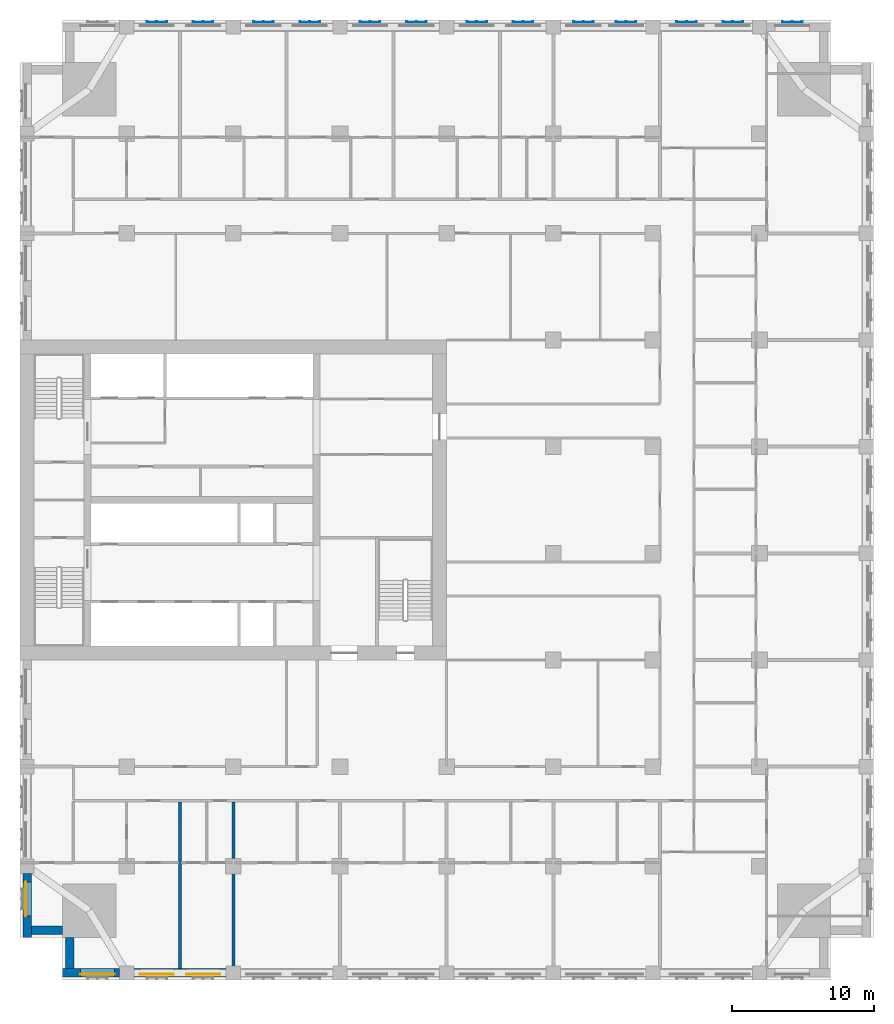
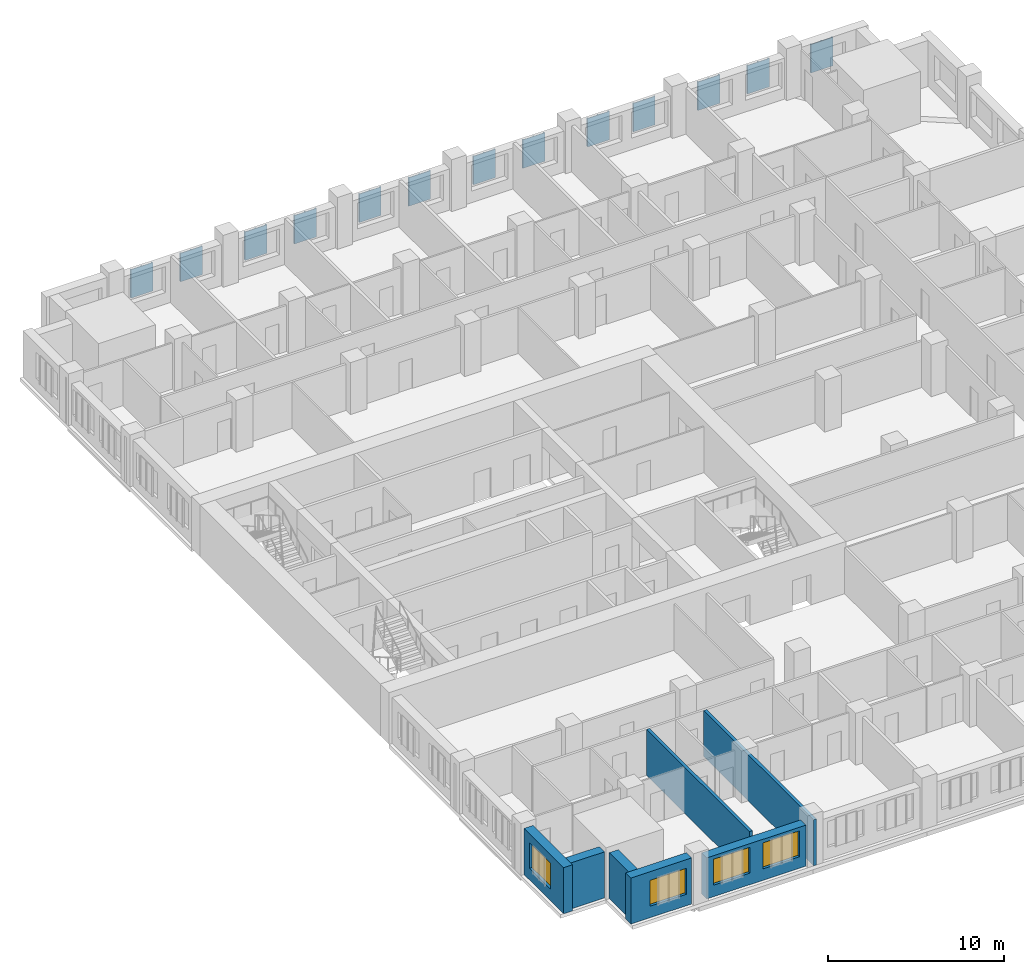
# One storey, part 3 of 14: 13 plates, 7 walls, 4 windows, 4 openings.
"""IFC4 building model written with IfcOpenShell, lengths in metres."""

from ifc_helpers import new_model, si_unit, direction, frame, frame_2d, origin, place, context, subcontext, project, spatial, polyline, rectangle, outline, extrude, material, layer, layer_set, type_object, element, fill, save


model = new_model("IFC4")

# Units and contexts
model_context = context("Model", 3, precision=1e-05, world=origin(), true_north=direction((0.0, 1.0)))
body_context = subcontext(model_context, "Body", "Model", "MODEL_VIEW")
ifc_project = project(units=[si_unit("LENGTHUNIT", "METRE"), si_unit("AREAUNIT", "SQUARE_METRE"), si_unit("VOLUMEUNIT", "CUBIC_METRE"), si_unit("PLANEANGLEUNIT", "RADIAN"), si_unit("MASSUNIT", "GRAM", prefix="KILO")], contexts=[model_context])

# Site, building, storey
site_placement = place(None, origin())
site = spatial("IfcSite", under=ifc_project, at=site_placement, CompositionType="ELEMENT")
building_placement = place(site_placement, origin())
building = spatial("IfcBuilding", under=site, at=building_placement, Name="Tamorin Gate", CompositionType="ELEMENT")
storey_placement = place(building_placement, frame((0.0, 0.0, 115.10009765625)))
storey = spatial("IfcBuildingStorey", under=building, at=storey_placement, Name="L28", CompositionType="ELEMENT", Elevation=115.10009765625)

# Plates
ifc_material_1 = material(Name="Perforated pale aluminium sheet", Category="aluminium")
ifc_layer_1 = layer(ifc_material_1, 0.0400390625)
ifc_layer_set_1 = layer_set([ifc_layer_1], Name="Pale metal solar screen 1440")
plate_type = type_object("IfcPlateType", Name="Pale metal solar screen 1440", PredefinedType="SHEET", material=ifc_layer_set_1)
plate_1_placement = place(storey_placement, frame((0.0, 0.0, 0.7099609375)))
element("IfcPlate", 1, at=plate_1_placement, inside=storey, type_object=plate_type, Name="Perforated solar screen", PredefinedType="SHEET", context=body_context, shape_type="SweptSolid", body=[
    extrude(outline(polyline([(85.02001953125, 104.840087890625), (85.02001953125, 104.800048828125), (84.9599609375, 104.800048828125), (84.330078125, 104.800048828125), (84.27001953125, 104.800048828125), (83.639892578125, 104.800048828125), (83.580078125, 104.800048828125), (83.580078125, 104.840087890625), (83.580078125, 104.89990234375), (83.639892578125, 104.89990234375), (83.639892578125, 104.840087890625), (84.27001953125, 104.840087890625), (84.27001953125, 104.89990234375), (84.330078125, 104.89990234375), (84.330078125, 104.840087890625), (84.9599609375, 104.840087890625), (84.9599609375, 104.89990234375), (85.02001953125, 104.89990234375), (85.02001953125, 104.840087890625)])), origin(), (0.0, 0.0, 1.0), 1.97998046875),
])
plate_2_placement = place(storey_placement, frame((0.0, 0.0, 0.7099609375)))
element("IfcPlate", 2, at=plate_2_placement, inside=storey, type_object=plate_type, Name="Perforated solar screen", PredefinedType="SHEET", context=body_context, shape_type="SweptSolid", body=[
    extrude(outline(polyline([(77.594970703125, 104.840087890625), (77.594970703125, 104.800048828125), (77.534912109375, 104.800048828125), (76.905029296875, 104.800048828125), (76.844970703125, 104.800048828125), (76.215087890625, 104.800048828125), (76.155029296875, 104.800048828125), (76.155029296875, 104.840087890625), (76.155029296875, 104.89990234375), (76.215087890625, 104.89990234375), (76.215087890625, 104.840087890625), (76.844970703125, 104.840087890625), (76.844970703125, 104.89990234375), (76.905029296875, 104.89990234375), (76.905029296875, 104.840087890625), (77.534912109375, 104.840087890625), (77.534912109375, 104.89990234375), (77.594970703125, 104.89990234375), (77.594970703125, 104.840087890625)])), origin(), (0.0, 0.0, 1.0), 1.97998046875),
])
plate_3_placement = place(storey_placement, frame((0.0, 0.0, 0.7099609375)))
element("IfcPlate", 3, at=plate_3_placement, inside=storey, type_object=plate_type, Name="Perforated solar screen", PredefinedType="SHEET", context=body_context, shape_type="SweptSolid", body=[
    extrude(outline(polyline([(80.844970703125, 104.840087890625), (80.844970703125, 104.800048828125), (80.784912109375, 104.800048828125), (80.155029296875, 104.800048828125), (80.094970703125, 104.800048828125), (79.465087890625, 104.800048828125), (79.405029296875, 104.800048828125), (79.405029296875, 104.800048828125), (79.405029296875, 104.840087890625), (79.405029296875, 104.840087890625), (79.405029296875, 104.89990234375), (79.465087890625, 104.89990234375), (79.465087890625, 104.840087890625), (80.094970703125, 104.840087890625), (80.094970703125, 104.89990234375), (80.155029296875, 104.89990234375), (80.155029296875, 104.840087890625), (80.784912109375, 104.840087890625), (80.784912109375, 104.89990234375), (80.844970703125, 104.89990234375), (80.844970703125, 104.840087890625)])), origin(), (0.0, 0.0, 1.0), 1.97998046875),
])
plate_4_placement = place(storey_placement, frame((0.0, 0.0, 0.7099609375)))
element("IfcPlate", 4, at=plate_4_placement, inside=storey, type_object=plate_type, Name="Perforated solar screen", PredefinedType="SHEET", context=body_context, shape_type="SweptSolid", body=[
    extrude(outline(polyline([(70.344970703125, 104.840087890625), (70.344970703125, 104.800048828125), (70.284912109375, 104.800048828125), (69.655029296875, 104.800048828125), (69.594970703125, 104.800048828125), (68.965087890625, 104.800048828125), (68.905029296875, 104.800048828125), (68.905029296875, 104.840087890625), (68.905029296875, 104.89990234375), (68.965087890625, 104.89990234375), (68.965087890625, 104.840087890625), (69.594970703125, 104.840087890625), (69.594970703125, 104.89990234375), (69.655029296875, 104.89990234375), (69.655029296875, 104.840087890625), (70.284912109375, 104.840087890625), (70.284912109375, 104.89990234375), (70.344970703125, 104.89990234375), (70.344970703125, 104.840087890625)])), origin(), (0.0, 0.0, 1.0), 1.97998046875),
])
plate_5_placement = place(storey_placement, frame((0.0, 0.0, 0.7099609375)))
element("IfcPlate", 5, at=plate_5_placement, inside=storey, type_object=plate_type, Name="Perforated solar screen", PredefinedType="SHEET", context=body_context, shape_type="SweptSolid", body=[
    extrude(outline(polyline([(73.344970703125, 104.840087890625), (73.344970703125, 104.800048828125), (73.284912109375, 104.800048828125), (72.655029296875, 104.800048828125), (72.594970703125, 104.800048828125), (71.965087890625, 104.800048828125), (71.905029296875, 104.800048828125), (71.905029296875, 104.840087890625), (71.905029296875, 104.89990234375), (71.965087890625, 104.89990234375), (71.965087890625, 104.840087890625), (72.594970703125, 104.840087890625), (72.594970703125, 104.89990234375), (72.655029296875, 104.89990234375), (72.655029296875, 104.840087890625), (73.284912109375, 104.840087890625), (73.284912109375, 104.89990234375), (73.344970703125, 104.89990234375), (73.344970703125, 104.840087890625)])), origin(), (0.0, 0.0, 1.0), 1.97998046875),
])
plate_6_placement = place(storey_placement, frame((0.0, 0.0, 0.7099609375)))
element("IfcPlate", 6, at=plate_6_placement, inside=storey, type_object=plate_type, Name="Perforated solar screen", PredefinedType="SHEET", context=body_context, shape_type="SweptSolid", body=[
    extrude(outline(polyline([(62.844970703125, 104.840087890625), (62.844970703125, 104.800048828125), (62.784912109375, 104.800048828125), (62.155029296875, 104.800048828125), (62.094970703125, 104.800048828125), (61.465087890625, 104.800048828125), (61.405029296875, 104.800048828125), (61.405029296875, 104.840087890625), (61.405029296875, 104.89990234375), (61.465087890625, 104.89990234375), (61.465087890625, 104.840087890625), (62.094970703125, 104.840087890625), (62.094970703125, 104.89990234375), (62.155029296875, 104.89990234375), (62.155029296875, 104.840087890625), (62.784912109375, 104.840087890625), (62.784912109375, 104.89990234375), (62.844970703125, 104.89990234375), (62.844970703125, 104.840087890625)])), origin(), (0.0, 0.0, 1.0), 1.97998046875),
])
plate_7_placement = place(storey_placement, frame((0.0, 0.0, 0.7099609375)))
element("IfcPlate", 7, at=plate_7_placement, inside=storey, type_object=plate_type, Name="Perforated solar screen", PredefinedType="SHEET", context=body_context, shape_type="SweptSolid", body=[
    extrude(outline(polyline([(66.094970703125, 104.840087890625), (66.094970703125, 104.800048828125), (66.034912109375, 104.800048828125), (65.405029296875, 104.800048828125), (65.344970703125, 104.800048828125), (64.715087890625, 104.800048828125), (64.655029296875, 104.800048828125), (64.655029296875, 104.840087890625), (64.655029296875, 104.89990234375), (64.715087890625, 104.89990234375), (64.715087890625, 104.840087890625), (65.344970703125, 104.840087890625), (65.344970703125, 104.89990234375), (65.405029296875, 104.89990234375), (65.405029296875, 104.840087890625), (66.034912109375, 104.840087890625), (66.034912109375, 104.89990234375), (66.094970703125, 104.89990234375), (66.094970703125, 104.840087890625)])), origin(), (0.0, 0.0, 1.0), 1.97998046875),
])
plate_8_placement = place(storey_placement, frame((0.0, 0.0, 0.7099609375)))
element("IfcPlate", 8, at=plate_8_placement, inside=storey, type_object=plate_type, Name="Perforated solar screen", PredefinedType="SHEET", context=body_context, shape_type="SweptSolid", body=[
    extrude(outline(polyline([(55.344970703125, 104.840087890625), (55.344970703125, 104.800048828125), (55.284912109375, 104.800048828125), (54.655029296875, 104.800048828125), (54.594970703125, 104.800048828125), (53.965087890625, 104.800048828125), (53.905029296875, 104.800048828125), (53.905029296875, 104.840087890625), (53.905029296875, 104.89990234375), (53.965087890625, 104.89990234375), (53.965087890625, 104.840087890625), (54.594970703125, 104.840087890625), (54.594970703125, 104.89990234375), (54.655029296875, 104.89990234375), (54.655029296875, 104.840087890625), (55.284912109375, 104.840087890625), (55.284912109375, 104.89990234375), (55.344970703125, 104.89990234375), (55.344970703125, 104.840087890625)])), origin(), (0.0, 0.0, 1.0), 1.97998046875),
])
plate_9_placement = place(storey_placement, frame((0.0, 0.0, 0.7099609375)))
element("IfcPlate", 9, at=plate_9_placement, inside=storey, type_object=plate_type, Name="Perforated solar screen", PredefinedType="SHEET", context=body_context, shape_type="SweptSolid", body=[
    extrude(outline(polyline([(58.594970703125, 104.840087890625), (58.594970703125, 104.800048828125), (58.534912109375, 104.800048828125), (57.905029296875, 104.800048828125), (57.844970703125, 104.800048828125), (57.215087890625, 104.800048828125), (57.155029296875, 104.800048828125), (57.155029296875, 104.840087890625), (57.155029296875, 104.89990234375), (57.215087890625, 104.89990234375), (57.215087890625, 104.840087890625), (57.844970703125, 104.840087890625), (57.844970703125, 104.89990234375), (57.905029296875, 104.89990234375), (57.905029296875, 104.840087890625), (58.534912109375, 104.840087890625), (58.534912109375, 104.89990234375), (58.594970703125, 104.89990234375), (58.594970703125, 104.840087890625)])), origin(), (0.0, 0.0, 1.0), 1.97998046875),
])
plate_10_placement = place(storey_placement, frame((0.0, 0.0, 0.7099609375)))
element("IfcPlate", 10, at=plate_10_placement, inside=storey, type_object=plate_type, Name="Perforated solar screen", PredefinedType="SHEET", context=body_context, shape_type="SweptSolid", body=[
    extrude(outline(polyline([(47.844970703125, 104.840087890625), (47.844970703125, 104.800048828125), (47.784912109375, 104.800048828125), (47.155029296875, 104.800048828125), (47.094970703125, 104.800048828125), (46.465087890625, 104.800048828125), (46.405029296875, 104.800048828125), (46.405029296875, 104.840087890625), (46.405029296875, 104.89990234375), (46.465087890625, 104.89990234375), (46.465087890625, 104.840087890625), (47.094970703125, 104.840087890625), (47.094970703125, 104.89990234375), (47.155029296875, 104.89990234375), (47.155029296875, 104.840087890625), (47.784912109375, 104.840087890625), (47.784912109375, 104.89990234375), (47.844970703125, 104.89990234375), (47.844970703125, 104.840087890625)])), origin(), (0.0, 0.0, 1.0), 1.97998046875),
])
plate_11_placement = place(storey_placement, frame((0.0, 0.0, 0.7099609375)))
element("IfcPlate", 11, at=plate_11_placement, inside=storey, type_object=plate_type, Name="Perforated solar screen", PredefinedType="SHEET", context=body_context, shape_type="SweptSolid", body=[
    extrude(outline(polyline([(51.094970703125, 104.840087890625), (51.094970703125, 104.800048828125), (51.034912109375, 104.800048828125), (50.405029296875, 104.800048828125), (50.344970703125, 104.800048828125), (49.715087890625, 104.800048828125), (49.655029296875, 104.800048828125), (49.655029296875, 104.840087890625), (49.655029296875, 104.89990234375), (49.715087890625, 104.89990234375), (49.715087890625, 104.840087890625), (50.344970703125, 104.840087890625), (50.344970703125, 104.89990234375), (50.405029296875, 104.89990234375), (50.405029296875, 104.840087890625), (51.034912109375, 104.840087890625), (51.034912109375, 104.89990234375), (51.094970703125, 104.89990234375), (51.094970703125, 104.840087890625)])), origin(), (0.0, 0.0, 1.0), 1.97998046875),
])
plate_12_placement = place(storey_placement, frame((0.0, 0.0, 0.7099609375)))
element("IfcPlate", 12, at=plate_12_placement, inside=storey, type_object=plate_type, Name="Perforated solar screen", PredefinedType="SHEET", context=body_context, shape_type="SweptSolid", body=[
    extrude(outline(polyline([(40.344970703125, 104.840087890625), (40.344970703125, 104.800048828125), (40.284912109375, 104.800048828125), (39.655029296875, 104.800048828125), (39.594970703125, 104.800048828125), (38.965087890625, 104.800048828125), (38.905029296875, 104.800048828125), (38.905029296875, 104.840087890625), (38.905029296875, 104.89990234375), (38.965087890625, 104.89990234375), (38.965087890625, 104.840087890625), (39.594970703125, 104.840087890625), (39.594970703125, 104.89990234375), (39.655029296875, 104.89990234375), (39.655029296875, 104.840087890625), (40.284912109375, 104.840087890625), (40.284912109375, 104.89990234375), (40.344970703125, 104.89990234375), (40.344970703125, 104.840087890625)])), origin(), (0.0, 0.0, 1.0), 1.97998046875),
])
plate_13_placement = place(storey_placement, frame((0.0, 0.0, 0.7099609375)))
element("IfcPlate", 13, at=plate_13_placement, inside=storey, type_object=plate_type, Name="Perforated solar screen", PredefinedType="SHEET", context=body_context, shape_type="SweptSolid", body=[
    extrude(outline(polyline([(43.594970703125, 104.840087890625), (43.594970703125, 104.800048828125), (43.534912109375, 104.800048828125), (42.905029296875, 104.800048828125), (42.844970703125, 104.800048828125), (42.215087890625, 104.800048828125), (42.155029296875, 104.800048828125), (42.155029296875, 104.840087890625), (42.155029296875, 104.89990234375), (42.215087890625, 104.89990234375), (42.215087890625, 104.840087890625), (42.844970703125, 104.840087890625), (42.844970703125, 104.89990234375), (42.905029296875, 104.89990234375), (42.905029296875, 104.840087890625), (43.534912109375, 104.840087890625), (43.534912109375, 104.89990234375), (43.594970703125, 104.89990234375), (43.594970703125, 104.840087890625)])), origin(), (0.0, 0.0, 1.0), 1.97998046875),
])

# Wall, opening, window
ifc_material_2 = material(Name="Precast concrete C40/50", Category="concrete")
ifc_layer_2 = layer(ifc_material_2, 0.60009765625)
ifc_layer_set_2 = layer_set([ifc_layer_2], Name="Precast concrete C40/50")
wall_type_1 = type_object("IfcWallType", Name="Board-marked concrete facade panel 600", PredefinedType="SOLIDWALL", material=ifc_layer_set_2)
wall_1_placement = place(storey_placement, frame((33.0, 38.0, 0.0), z_axis=(0.0, 0.0, 1.0), x_axis=(1.0, 0.0, 0.0)))
wall_1 = element("IfcWall", 14, at=wall_1_placement, inside=storey, type_object=wall_type_1, Name="Facade panel", PredefinedType="SOLIDWALL", context=body_context, shape_type="SweptSolid", body=[
    extrude(rectangle(XDim=4.0, YDim=0.60009765625, at=frame_2d((2.0, 0.0))), origin(), (0.0, 0.0, 1.0), 3.199951171875),
])
opening_1_placement = place(wall_1_placement, frame((1.25, 0.0, 0.800048828125)))
opening_1 = element("IfcOpeningElement", 15, at=opening_1_placement, cuts=wall_1, Name="Opening WN1", PredefinedType="OPENING", context=body_context, shape_type="SweptSolid", body=[
    extrude(rectangle(XDim=2.39990234375, YDim=1.800048828125, at=frame_2d((1.199951171875, 0.89990234375))), frame((0.0, 0.31005859375, 0.0), z_axis=(0.0, -1.0, 0.0), x_axis=(1.0, 0.0, 0.0)), (0.0, 0.0, 1.0), 0.6201171875),
])
ifc_material_3 = material(Name="Clear glass in aluminium frame", Category="aluminium")
window_type = type_object("IfcWindowType", Name="Deep-set window 2400x1800", PartitioningType="SINGLE_PANEL", PredefinedType="WINDOW", material=ifc_material_3)
window_1_placement = place(opening_1_placement, origin())
window_1 = element("IfcWindow", 16, at=window_1_placement, inside=storey, type_object=window_type, Name="Deep-set window", OverallHeight=1.800048828125, OverallWidth=2.39990234375, PartitioningType="SINGLE_PANEL", PredefinedType="WINDOW", context=body_context, shape_type="SweptSolid", body=[
    extrude(rectangle(XDim=2.39990234375, YDim=1.800048828125, at=frame_2d((1.199951171875, 0.89990234375))), frame((0.0, -0.070068359375, 0.0), z_axis=(0.0, -1.0, 0.0), x_axis=(1.0, 0.0, 0.0)), (0.0, 0.0, 1.0), 0.06005859375),
])
fill(opening_1, window_1)

# Wall, openings, windows
wall_2_placement = place(storey_placement, frame((38.0, 38.0, 0.0), z_axis=(0.0, 0.0, 1.0), x_axis=(1.0, 0.0, 0.0)))
wall_2 = element("IfcWall", 17, at=wall_2_placement, inside=storey, type_object=wall_type_1, Name="Facade panel", PredefinedType="SOLIDWALL", context=body_context, shape_type="SweptSolid", body=[
    extrude(rectangle(XDim=6.5, YDim=0.60009765625, at=frame_2d((3.25, 0.0))), origin(), (0.0, 0.0, 1.0), 2.849853515625),
])
opening_2_placement = place(wall_2_placement, frame((0.425048828125, 0.0, 0.800048828125)))
opening_2 = element("IfcOpeningElement", 18, at=opening_2_placement, cuts=wall_2, Name="Opening WN1", PredefinedType="OPENING", context=body_context, shape_type="SweptSolid", body=[
    extrude(rectangle(XDim=2.39990234375, YDim=1.800048828125, at=frame_2d((1.199951171875, 0.89990234375))), frame((0.0, 0.31005859375, 0.0), z_axis=(0.0, -1.0, 0.0), x_axis=(1.0, 0.0, 0.0)), (0.0, 0.0, 1.0), 0.6201171875),
])
opening_3_placement = place(wall_2_placement, frame((3.675048828125, 0.0, 0.800048828125)))
opening_3 = element("IfcOpeningElement", 19, at=opening_3_placement, cuts=wall_2, Name="Opening WN1", PredefinedType="OPENING", context=body_context, shape_type="SweptSolid", body=[
    extrude(rectangle(XDim=2.39990234375, YDim=1.800048828125, at=frame_2d((1.199951171875, 0.89990234375))), frame((0.0, 0.31005859375, 0.0), z_axis=(0.0, -1.0, 0.0), x_axis=(1.0, 0.0, 0.0)), (0.0, 0.0, 1.0), 0.6201171875),
])
window_2_placement = place(opening_2_placement, origin())
window_2 = element("IfcWindow", 20, at=window_2_placement, inside=storey, type_object=window_type, Name="Deep-set window", OverallHeight=1.800048828125, OverallWidth=2.39990234375, PartitioningType="SINGLE_PANEL", PredefinedType="WINDOW", context=body_context, shape_type="SweptSolid", body=[
    extrude(rectangle(XDim=2.39990234375, YDim=1.800048828125, at=frame_2d((1.199951171875, 0.89990234375))), frame((0.0, -0.070068359375, 0.0), z_axis=(0.0, -1.0, 0.0), x_axis=(1.0, 0.0, 0.0)), (0.0, 0.0, 1.0), 0.06005859375),
])
fill(opening_2, window_2)
window_3_placement = place(opening_3_placement, origin())
window_3 = element("IfcWindow", 21, at=window_3_placement, inside=storey, type_object=window_type, Name="Deep-set window", OverallHeight=1.800048828125, OverallWidth=2.39990234375, PartitioningType="SINGLE_PANEL", PredefinedType="WINDOW", context=body_context, shape_type="SweptSolid", body=[
    extrude(rectangle(XDim=2.39990234375, YDim=1.800048828125, at=frame_2d((1.199951171875, 0.89990234375))), frame((0.0, -0.070068359375, 0.0), z_axis=(0.0, -1.0, 0.0), x_axis=(1.0, 0.0, 0.0)), (0.0, 0.0, 1.0), 0.06005859375),
])
fill(opening_3, window_3)

# Wall, opening, window
wall_3_placement = place(storey_placement, frame((30.5, 45.0, 0.0), z_axis=(0.0, 0.0, 1.0), x_axis=(0.0, -1.0, 0.0)))
wall_3 = element("IfcWall", 22, at=wall_3_placement, inside=storey, type_object=wall_type_1, Name="Facade panel", PredefinedType="SOLIDWALL", context=body_context, shape_type="SweptSolid", body=[
    extrude(rectangle(XDim=4.5, YDim=0.60009765625, at=frame_2d((2.25, 0.0))), origin(), (0.0, 0.0, 1.0), 3.199951171875),
])
opening_4_placement = place(wall_3_placement, frame((0.60009765625, 0.0, 0.800048828125)))
opening_4 = element("IfcOpeningElement", 23, at=opening_4_placement, cuts=wall_3, Name="Opening WN1", PredefinedType="OPENING", context=body_context, shape_type="SweptSolid", body=[
    extrude(rectangle(XDim=2.39990234375, YDim=1.800048828125, at=frame_2d((1.199951171875, 0.89990234375))), frame((0.0, 0.31005859375, 0.0), z_axis=(0.0, -1.0, 0.0), x_axis=(1.0, 0.0, 0.0)), (0.0, 0.0, 1.0), 0.6201171875),
])
window_4_placement = place(opening_4_placement, origin())
window_4 = element("IfcWindow", 24, at=window_4_placement, inside=storey, type_object=window_type, Name="Deep-set window", OverallHeight=1.800048828125, OverallWidth=2.39990234375, PartitioningType="SINGLE_PANEL", PredefinedType="WINDOW", context=body_context, shape_type="SweptSolid", body=[
    extrude(rectangle(XDim=2.39990234375, YDim=1.800048828125, at=frame_2d((1.199951171875, 0.89990234375))), frame((0.0, -0.070068359375, 0.0), z_axis=(0.0, -1.0, 0.0), x_axis=(1.0, 0.0, 0.0)), (0.0, 0.0, 1.0), 0.06005859375),
])
fill(opening_4, window_4)

# Walls
for number, where, z_axis, x_axis, name in (
    (25, (30.800048828125, 41.0, 0.0), (0.0, 0.0, 1.0), (1.0, 0.0, 0.0), "Facade panel"),
    (26, (33.5, 40.5, 0.0), (0.0, 0.0, 1.0), (0.0, -1.0, 0.0), "Facade panel"),
):
    element("IfcWall", number, at=place(storey_placement, frame(where, z_axis=z_axis, x_axis=x_axis)), inside=storey, type_object=wall_type_1, Name=name, PredefinedType="SOLIDWALL", context=body_context, shape_type="SweptSolid", body=[
        extrude(rectangle(XDim=2.199951171875, YDim=0.60009765625, at=frame_2d((1.10009765625, 0.0))), origin(), (0.0, 0.0, 1.0), 3.199951171875),
    ])
ifc_material_4 = material(Name="Gypsum board partition")
ifc_layer_3 = layer(ifc_material_4, 0.199951171875)
ifc_layer_set_3 = layer_set([ifc_layer_3], Name="Demising wall 200")
wall_type_2 = type_object("IfcWallType", Name="Demising wall 200", PredefinedType="PARTITIONING", material=ifc_layer_set_3)
wall_4_placement = place(storey_placement, frame((41.25, 38.31005859375, 0.0), z_axis=(0.0, 0.0, 1.0), x_axis=(0.0, 1.0, 0.0)))
element("IfcWall", 27, at=wall_4_placement, inside=storey, type_object=wall_type_2, Name="Demising wall 200", PredefinedType="PARTITIONING", context=body_context, shape_type="SweptSolid", body=[
    extrude(rectangle(XDim=11.71484375, YDim=0.199951171875, at=frame_2d((5.857421875, 0.0))), origin(), (0.0, 0.0, 1.0), 3.199951171875),
])
wall_5_placement = place(storey_placement, frame((45.0, 37.5, 0.0), z_axis=(0.0, 0.0, 1.0), x_axis=(0.0, 1.0, 0.0)))
element("IfcWall", 28, at=wall_5_placement, inside=storey, type_object=wall_type_2, Name="Demising wall 200", PredefinedType="PARTITIONING", context=body_context, shape_type="SweptSolid", body=[
    extrude(rectangle(XDim=12.52490234375, YDim=0.199951171875, at=frame_2d((6.262451171875, 0.0))), origin(), (0.0, 0.0, 1.0), 3.199951171875),
])

save(model, "model.ifc")
